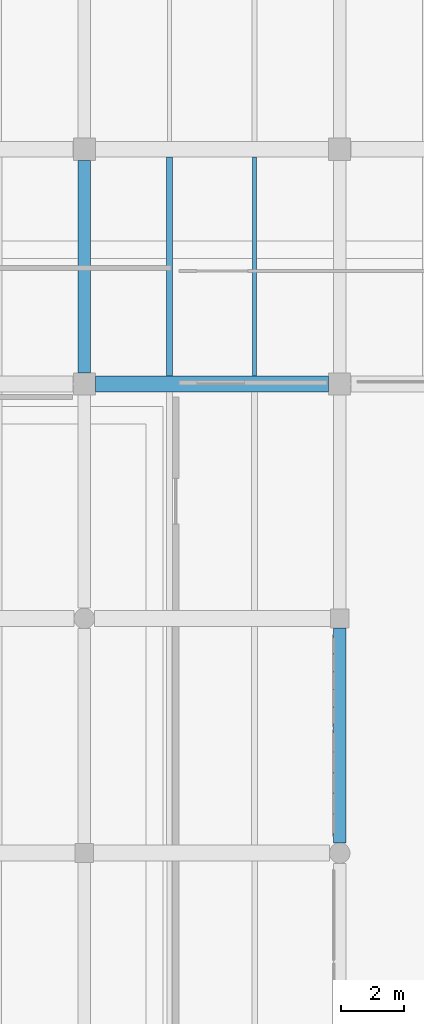
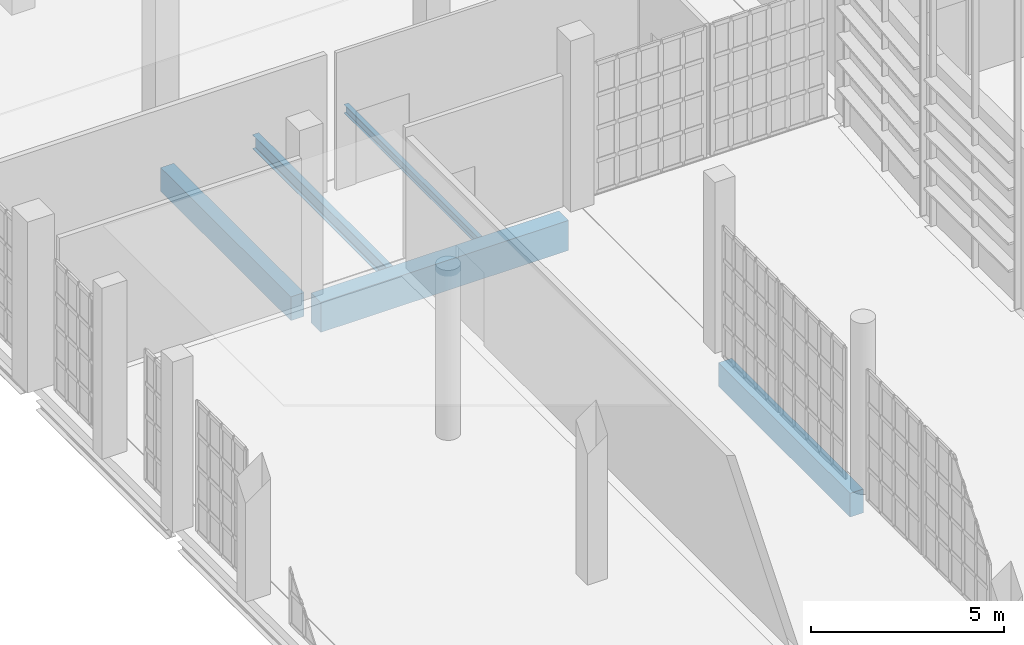
# One storey, part 87 of 372: 5 beams.
"""IFC4 building model written with IfcOpenShell, lengths in metres."""

from ifc_helpers import new_model, si_unit, direction, frame, origin, origin_2d, place, context, subcontext, project, spatial, rectangle, i_section, extrude, material, material_profile, profile_set, type_object, element, save


model = new_model("IFC4")

# Units and contexts
model_context = context("Model", 3, precision=1e-05, world=origin(), true_north=direction((0.0, 1.0)))
body_context = subcontext(model_context, "Body", "Model", "MODEL_VIEW")
ifc_project = project(units=[si_unit("LENGTHUNIT", "METRE"), si_unit("AREAUNIT", "SQUARE_METRE"), si_unit("VOLUMEUNIT", "CUBIC_METRE"), si_unit("PLANEANGLEUNIT", "RADIAN"), si_unit("MASSUNIT", "GRAM", prefix="KILO")], contexts=[model_context])

# Site, building, storey
site_placement = place(None, origin())
site = spatial("IfcSite", under=ifc_project, at=site_placement, CompositionType="ELEMENT")
building_placement = place(site_placement, origin())
building = spatial("IfcBuilding", under=site, at=building_placement, Name="Kaelora Sail Theatre", CompositionType="ELEMENT")
storey_placement = place(building_placement, origin())
storey = spatial("IfcBuildingStorey", under=building, at=storey_placement, Name="L00", CompositionType="ELEMENT", Elevation=0.0)

# Beams
ifc_material_1 = material(Name="Steel S355", Category="steel")
ifc_material_profile_1 = material_profile(ifc_material_1, i_section(OverallWidth=0.18994140625, OverallDepth=0.449951171875, WebThickness=0.009521484375, FlangeThickness=0.0146484375, FilletRadius=0.02099609375, at=origin_2d()), Name="IPE 450")
ifc_profile_set_1 = profile_set([ifc_material_profile_1], Name="Steel S355")
beam_type_1 = type_object("IfcBeamType", Name="STR-BM-BM-IPE450", PredefinedType="BEAM", material=ifc_profile_set_1)
beam_1_placement = place(storey_placement, frame((12.300048828125, 61.27001953125, -0.544921875), z_axis=(0.0, 1.0, 0.0), x_axis=(-1.0, 0.0, 0.0)))
element("IfcBeam", 1, at=beam_1_placement, inside=storey, type_object=beam_type_1, Name="Secondary floor joist 2/I-1 (L00)", PredefinedType="BEAM", context=body_context, shape_type="SweptSolid", body=[
    extrude(i_section(OverallWidth=0.18994140625, OverallDepth=0.449951171875, WebThickness=0.009521484375, FlangeThickness=0.0146484375, FilletRadius=0.02099609375, at=origin_2d()), origin(), (0.0, 0.0, 1.0), 6.93994140625),
])
ifc_material_2 = material(Name="Concrete C40/50", Category="concrete")
ifc_material_profile_2 = material_profile(ifc_material_2, rectangle(XDim=0.39990234375, YDim=0.75, at=origin_2d()), Name="RC-BM 400x750")
ifc_profile_set_2 = profile_set([ifc_material_profile_2], Name="Concrete C40/50")
beam_type_2 = type_object("IfcBeamType", Name="STR-BM-BM-RC4075", PredefinedType="BEAM", material=ifc_profile_set_2)
beam_2_placement = place(storey_placement, frame((9.60009765625, 61.3701171875, -0.695068359375), z_axis=(0.0, 1.0, 0.0), x_axis=(-1.0, 0.0, 0.0)))
element("IfcBeam", 2, at=beam_2_placement, inside=storey, type_object=beam_type_2, Name="Primary beam 2 I-J (L00)", PredefinedType="BEAM", context=body_context, shape_type="SweptSolid", body=[
    extrude(rectangle(XDim=0.39990234375, YDim=0.75, at=origin_2d()), origin(), (0.0, 0.0, 1.0), 6.739990234375),
])
beam_3_placement = place(storey_placement, frame((17.699951171875, 46.465087890625, -0.695068359375), z_axis=(0.0, 1.0, 0.0), x_axis=(-1.0, 0.0, 0.0)))
element("IfcBeam", 3, at=beam_3_placement, inside=storey, type_object=beam_type_2, Name="Primary beam 3 G-H (L00)", PredefinedType="BEAM", context=body_context, shape_type="SweptSolid", body=[
    extrude(rectangle(XDim=0.39990234375, YDim=0.75, at=origin_2d()), origin(), (0.0, 0.0, 1.0), 6.81494140625),
])
ifc_material_3 = material(Name="Concrete C45/55", Category="concrete")
ifc_material_profile_3 = material_profile(ifc_material_3, rectangle(XDim=0.5, YDim=0.949951171875, at=origin_2d()), Name="RC-GRD 500x950")
ifc_profile_set_3 = profile_set([ifc_material_profile_3], Name="Concrete C45/55")
beam_type_3 = type_object("IfcBeamType", Name="STR-BM-GR-RC5095", PredefinedType="T_BEAM", material=ifc_profile_set_3)
beam_4_placement = place(storey_placement, frame((9.949951171875, 61.02001953125, -0.794921875), z_axis=(1.0, 0.0, 0.0), x_axis=(0.0, 1.0, 0.0)))
element("IfcBeam", 4, at=beam_4_placement, inside=storey, type_object=beam_type_3, Name="Primary beam I 2-3 (L00)", PredefinedType="T_BEAM", context=body_context, shape_type="SweptSolid", body=[
    extrude(rectangle(XDim=0.5, YDim=0.949951171875, at=origin_2d()), origin(), (0.0, 0.0, 1.0), 7.400146484375),
])
ifc_material_4 = material(Name="Steel S355", Category="steel")
ifc_material_profile_4 = material_profile(ifc_material_4, i_section(OverallWidth=0.135009765625, OverallDepth=0.27001953125, WebThickness=0.006591796875, FlangeThickness=0.01025390625, FilletRadius=0.014892578125, at=origin_2d()), Name="IPE 270")
ifc_profile_set_4 = profile_set([ifc_material_profile_4], Name="Steel S355")
beam_type_4 = type_object("IfcBeamType", Name="STR-BM-JS-IPE270", PredefinedType="JOIST", material=ifc_profile_set_4)
beam_5_placement = place(storey_placement, frame((15.0, 61.27001953125, -0.455078125), z_axis=(0.0, 1.0, 0.0), x_axis=(-1.0, 0.0, 0.0)))
element("IfcBeam", 5, at=beam_5_placement, inside=storey, type_object=beam_type_4, Name="Secondary floor joist 2/I-2 (L00)", PredefinedType="JOIST", context=body_context, shape_type="SweptSolid", body=[
    extrude(i_section(OverallWidth=0.135009765625, OverallDepth=0.27001953125, WebThickness=0.006591796875, FlangeThickness=0.01025390625, FilletRadius=0.014892578125, at=origin_2d()), origin(), (0.0, 0.0, 1.0), 6.93994140625),
])

save(model, "model.ifc")
